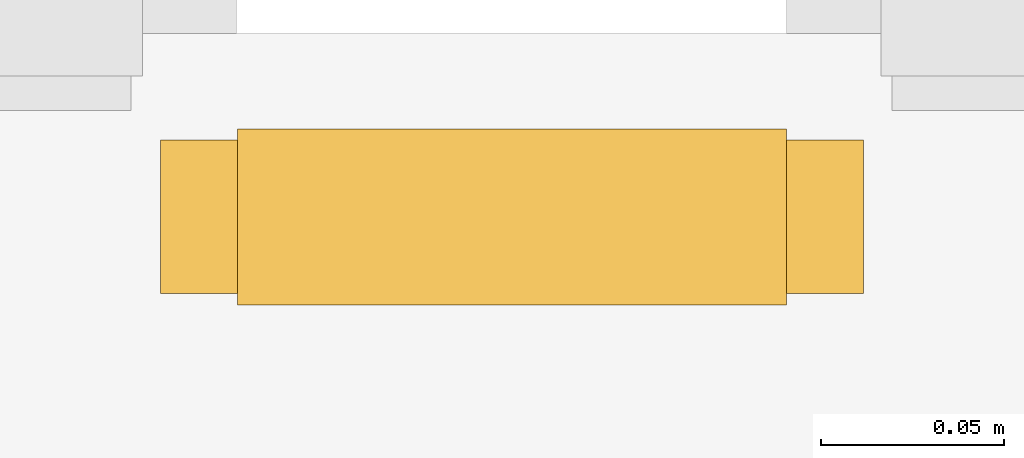
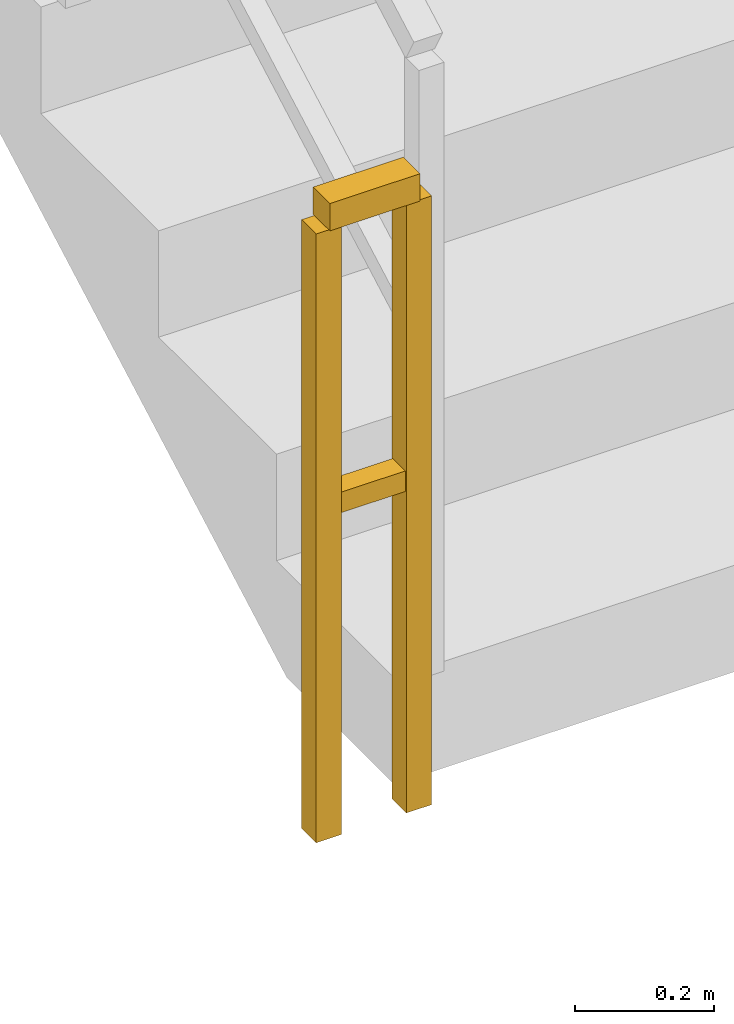
# One storey, part 17 of 21: 1 railing.
"""IFC4 building model written with IfcOpenShell, lengths in metres."""

from ifc_helpers import new_model, si_unit, direction, frame, origin, origin_2d, place, context, subcontext, project, spatial, rectangle, extrude, material, type_object, element, save


model = new_model("IFC4")

# Units and contexts
model_context = context("Model", 3, precision=1e-05, world=origin(), true_north=direction((0.0, 1.0)))
body_context = subcontext(model_context, "Body", "Model", "MODEL_VIEW")
ifc_project = project(units=[si_unit("LENGTHUNIT", "METRE"), si_unit("AREAUNIT", "SQUARE_METRE"), si_unit("VOLUMEUNIT", "CUBIC_METRE"), si_unit("PLANEANGLEUNIT", "RADIAN"), si_unit("MASSUNIT", "GRAM", prefix="KILO")], contexts=[model_context])

# Site, building, storey
site_placement = place(None, origin())
site = spatial("IfcSite", under=ifc_project, at=site_placement, CompositionType="ELEMENT")
building_placement = place(site_placement, origin())
building = spatial("IfcBuilding", under=site, at=building_placement, Name="Zuhayl Quay Hotel", CompositionType="ELEMENT")
storey_placement = place(building_placement, frame((0.0, 0.0, 89.64990234375)))
storey = spatial("IfcBuildingStorey", under=building, at=storey_placement, Name="L22", CompositionType="ELEMENT", Elevation=89.64990234375)

# Railing
ifc_material = material(Name="Steel ASTM A992 Grade 50", Category="steel")
railing_type = type_object("IfcRailingType", Name="RL_GUARD_1100", PredefinedType="GUARDRAIL", material=ifc_material)
railing_placement = place(storey_placement, frame((-13.639892578125, 6.5400390625, 0.0)))
element("IfcRailing", 1, at=railing_placement, inside=storey, type_object=railing_type, Name="L22 ST1 stair guard 4", PredefinedType="GUARDRAIL", context=body_context, shape_type="SweptSolid", body=[
    extrude(rectangle(XDim=0.048095703125, YDim=0.048095703125, at=origin_2d()), frame((0.0, 0.0, 1.09619140625), z_axis=(-1.0, 0.0, 0.0), x_axis=(0.0, -1.0, 0.0)), (0.0, 0.0, 1.0), 0.150146484375),
    extrude(rectangle(XDim=0.0361328125, YDim=0.0361328125, at=origin_2d()), frame((0.0, 0.0, 0.58251953125), z_axis=(-1.0, 0.0, 0.0), x_axis=(0.0, -1.0, 0.0)), (0.0, 0.0, 1.0), 0.150146484375),
    extrude(rectangle(XDim=0.0419921875, YDim=0.0419921875, at=origin_2d()), origin(), (0.0, 0.0, 1.0), 1.072021484375),
    extrude(rectangle(XDim=0.0419921875, YDim=0.0419921875, at=origin_2d()), frame((-0.150146484375, 0.0, 0.0)), (0.0, 0.0, 1.0), 1.072021484375),
])

save(model, "model.ifc")
